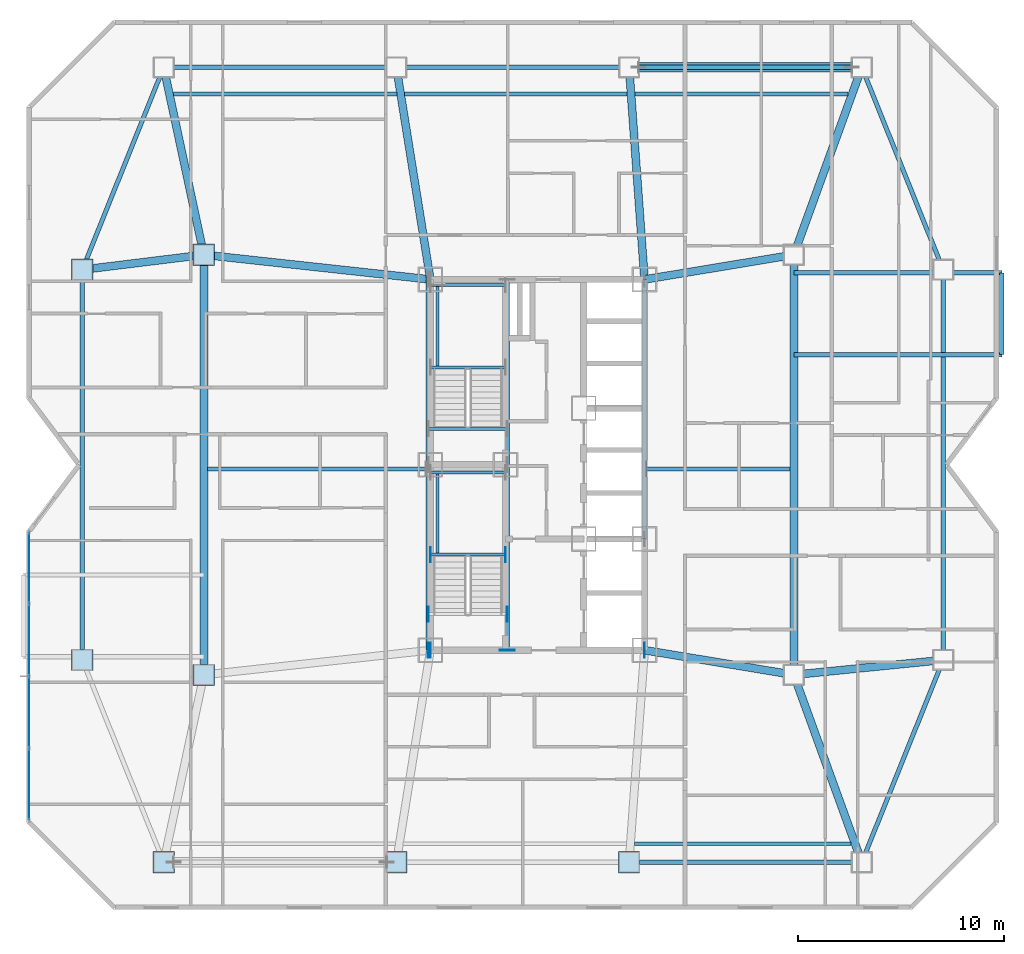
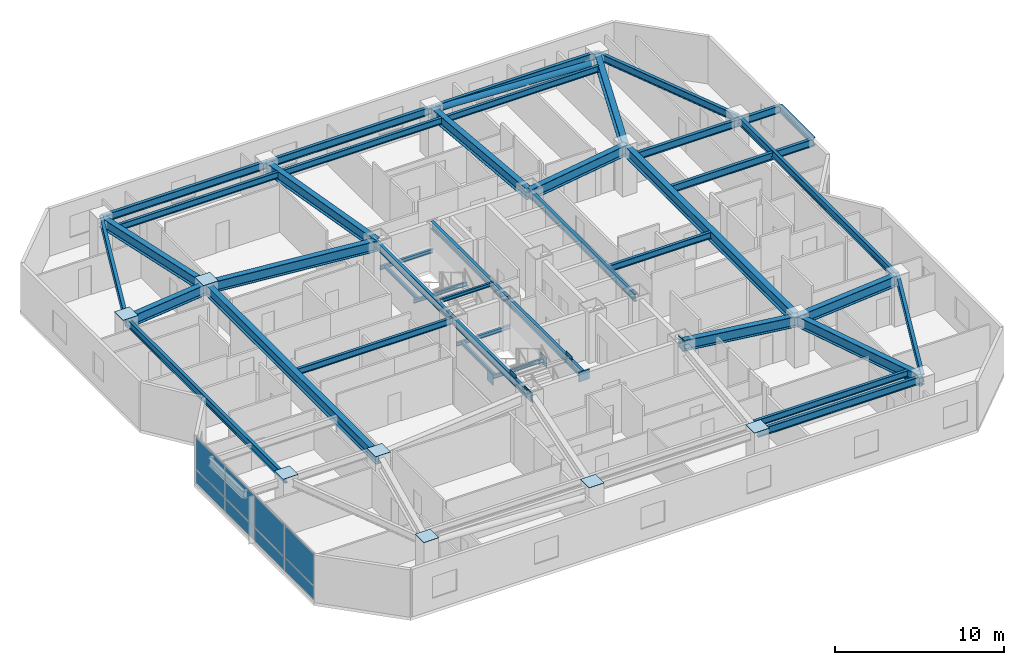
# One storey, part 7 of 17: 42 beams, 24 plates, 1 member, 1 element without a shape of its own.
"""IFC4 building model written with IfcOpenShell, lengths in metres."""

from ifc_helpers import new_model, si_unit, direction, frame, origin, origin_2d, place, context, subcontext, project, spatial, rectangle, hollow_circle, i_section, extrude, material, layer, layer_set, material_profile, profile_set, type_object, element, aggregate, save


model = new_model("IFC4")

# Units and contexts
model_context = context("Model", 3, precision=1e-05, world=origin(), true_north=direction((0.0, 1.0)))
body_context = subcontext(model_context, "Body", "Model", "MODEL_VIEW")
ifc_project = project(units=[si_unit("LENGTHUNIT", "METRE"), si_unit("AREAUNIT", "SQUARE_METRE"), si_unit("VOLUMEUNIT", "CUBIC_METRE"), si_unit("PLANEANGLEUNIT", "RADIAN"), si_unit("MASSUNIT", "GRAM", prefix="KILO")], contexts=[model_context])

# Site, building, storey
site_placement = place(None, origin())
site = spatial("IfcSite", under=ifc_project, at=site_placement, CompositionType="ELEMENT")
building_placement = place(site_placement, origin())
building = spatial("IfcBuilding", under=site, at=building_placement, Name="Khamvora Tower", CompositionType="ELEMENT")
storey_placement = place(building_placement, frame((0.0, 0.0, 131.10009765625)))
storey = spatial("IfcBuildingStorey", under=building, at=storey_placement, Name="L33", CompositionType="ELEMENT", Elevation=131.10009765625)

# Beams
ifc_material_1 = material(Name="Steel S355", Category="steel")
ifc_material_profile_1 = material_profile(ifc_material_1, i_section(OverallWidth=0.19189453125, OverallDepth=0.462890625, WebThickness=0.010986328125, FlangeThickness=0.01806640625, FilletRadius=0.011962890625, at=origin_2d()), Name="W460x89")
ifc_profile_set_1 = profile_set([ifc_material_profile_1], Name="Steel S355")
beam_type_1 = type_object("IfcBeamType", Name="BM-JS-W460x89", PredefinedType="JOIST", material=ifc_profile_set_1)
beam_1_placement = place(storey_placement, frame((38.902099609375, 9.60009765625, 3.197998046875), z_axis=(1.0, 0.0, 0.0), x_axis=(0.0, 1.0, 0.0)))
element("IfcBeam", 1, at=beam_1_placement, inside=storey, type_object=beam_type_1, Name="L33 secondary floor joist 03", PredefinedType="JOIST", context=body_context, shape_type="SweptSolid", body=[
    extrude(i_section(OverallWidth=0.19189453125, OverallDepth=0.462890625, WebThickness=0.010986328125, FlangeThickness=0.01806640625, FilletRadius=0.011962890625, at=origin_2d()), origin(), (0.0, 0.0, 1.0), 10.52392578125),
])
beam_2_placement = place(storey_placement, frame((18.18603515625, 27.800048828125, 3.197998046875), z_axis=(1.0, 0.0, 0.0), x_axis=(0.0, 1.0, 0.0)))
element("IfcBeam", 2, at=beam_2_placement, inside=storey, type_object=beam_type_1, Name="L33 secondary floor joist 04", PredefinedType="JOIST", context=body_context, shape_type="SweptSolid", body=[
    extrude(i_section(OverallWidth=0.19189453125, OverallDepth=0.462890625, WebThickness=0.010986328125, FlangeThickness=0.01806640625, FilletRadius=0.011962890625, at=origin_2d()), origin(), (0.0, 0.0, 1.0), 10.614013671875),
])
beam_3_placement = place(storey_placement, frame((39.4990234375, 27.800048828125, 3.197998046875), z_axis=(1.0, 0.0, 0.0), x_axis=(0.0, 1.0, 0.0)))
element("IfcBeam", 3, at=beam_3_placement, inside=storey, type_object=beam_type_1, Name="L33 secondary floor joist 05", PredefinedType="JOIST", context=body_context, shape_type="SweptSolid", body=[
    extrude(i_section(OverallWidth=0.19189453125, OverallDepth=0.462890625, WebThickness=0.010986328125, FlangeThickness=0.01806640625, FilletRadius=0.011962890625, at=origin_2d()), origin(), (0.0, 0.0, 1.0), 6.966064453125),
])
beam_4_placement = place(storey_placement, frame((16.51806640625, 46.0, 3.197998046875), z_axis=(1.0, 0.0, 0.0), x_axis=(0.0, 1.0, 0.0)))
element("IfcBeam", 4, at=beam_4_placement, inside=storey, type_object=beam_type_1, Name="L33 secondary floor joist 06", PredefinedType="JOIST", context=body_context, shape_type="SweptSolid", body=[
    extrude(i_section(OverallWidth=0.19189453125, OverallDepth=0.462890625, WebThickness=0.010986328125, FlangeThickness=0.01806640625, FilletRadius=0.011962890625, at=origin_2d()), origin(), (0.0, 0.0, 1.0), 10.85205078125),
])
beam_5_placement = place(storey_placement, frame((27.74609375, 46.0, 3.197998046875), z_axis=(1.0, 0.0, 0.0), x_axis=(0.0, 1.0, 0.0)))
element("IfcBeam", 5, at=beam_5_placement, inside=storey, type_object=beam_type_1, Name="L33 secondary floor joist 07", PredefinedType="JOIST", context=body_context, shape_type="SweptSolid", body=[
    extrude(i_section(OverallWidth=0.19189453125, OverallDepth=0.462890625, WebThickness=0.010986328125, FlangeThickness=0.01806640625, FilletRadius=0.011962890625, at=origin_2d()), origin(), (0.0, 0.0, 1.0), 10.81298828125),
])
beam_6_placement = place(storey_placement, frame((38.930908203125, 46.0, 3.197998046875), z_axis=(1.0, 0.0, 0.0), x_axis=(0.0, 1.0, 0.0)))
element("IfcBeam", 6, at=beam_6_placement, inside=storey, type_object=beam_type_1, Name="L33 secondary floor joist 08", PredefinedType="JOIST", context=body_context, shape_type="SweptSolid", body=[
    extrude(i_section(OverallWidth=0.19189453125, OverallDepth=0.462890625, WebThickness=0.010986328125, FlangeThickness=0.01806640625, FilletRadius=0.011962890625, at=origin_2d()), origin(), (0.0, 0.0, 1.0), 10.35009765625),
])
ifc_material_profile_2 = material_profile(ifc_material_1, i_section(OverallWidth=0.14697265625, OverallDepth=0.261962890625, WebThickness=0.007080078125, FlangeThickness=0.010986328125, FilletRadius=0.008056640625, at=origin_2d()), Name="W250x39")
ifc_profile_set_2 = profile_set([ifc_material_profile_2], Name="Steel S355")
beam_type_2 = type_object("IfcBeamType", Name="BM-LN-W250x39", PredefinedType="LINTEL", material=ifc_profile_set_2)
for number, where, z_axis, x_axis, name in (
    (7, (29.0, 23.635009765625, 1.493896484375), (1.0, 0.0, 0.0), (0.0, 1.0, 0.0), "L33 ST-01 half-landing support beam 1.1"),
    (8, (29.0, 27.6298828125, 1.493896484375), (1.0, 0.0, 0.0), (0.0, 1.0, 0.0), "L33 ST-01 half-landing support beam 1.2"),
):
    element("IfcBeam", number, at=place(storey_placement, frame(where, z_axis=z_axis, x_axis=x_axis)), inside=storey, type_object=beam_type_2, Name=name, PredefinedType="LINTEL", context=body_context, shape_type="SweptSolid", body=[
        extrude(i_section(OverallWidth=0.14697265625, OverallDepth=0.261962890625, WebThickness=0.007080078125, FlangeThickness=0.010986328125, FilletRadius=0.008056640625, at=origin_2d()), origin(), (0.0, 0.0, 1.0), 3.64990234375),
    ])
beam_7_placement = place(storey_placement, frame((29.35009765625, 23.635009765625, 1.493896484375), z_axis=(0.0, 1.0, 0.0), x_axis=(-1.0, 0.0, 0.0)))
element("IfcBeam", 9, at=beam_7_placement, inside=storey, type_object=beam_type_2, Name="L33 ST-01 half-landing edge stringer 1", PredefinedType="LINTEL", context=body_context, shape_type="SweptSolid", body=[
    extrude(i_section(OverallWidth=0.14697265625, OverallDepth=0.261962890625, WebThickness=0.007080078125, FlangeThickness=0.010986328125, FilletRadius=0.008056640625, at=origin_2d()), origin(), (0.0, 0.0, 1.0), 3.994873046875),
])
for number, where, z_axis, x_axis, name in (
    (10, (29.0, 32.735107421875, 1.493896484375), (1.0, 0.0, 0.0), (0.0, 1.0, 0.0), "L33 ST-02 half-landing support beam 1.1"),
    (11, (29.0, 36.72998046875, 1.493896484375), (1.0, 0.0, 0.0), (0.0, 1.0, 0.0), "L33 ST-02 half-landing support beam 1.2"),
):
    element("IfcBeam", number, at=place(storey_placement, frame(where, z_axis=z_axis, x_axis=x_axis)), inside=storey, type_object=beam_type_2, Name=name, PredefinedType="LINTEL", context=body_context, shape_type="SweptSolid", body=[
        extrude(i_section(OverallWidth=0.14697265625, OverallDepth=0.261962890625, WebThickness=0.007080078125, FlangeThickness=0.010986328125, FilletRadius=0.008056640625, at=origin_2d()), origin(), (0.0, 0.0, 1.0), 3.64990234375),
    ])
beam_8_placement = place(storey_placement, frame((29.35009765625, 32.735107421875, 1.493896484375), z_axis=(0.0, 1.0, 0.0), x_axis=(-1.0, 0.0, 0.0)))
element("IfcBeam", 12, at=beam_8_placement, inside=storey, type_object=beam_type_2, Name="L33 ST-02 half-landing edge stringer 1", PredefinedType="LINTEL", context=body_context, shape_type="SweptSolid", body=[
    extrude(i_section(OverallWidth=0.14697265625, OverallDepth=0.261962890625, WebThickness=0.007080078125, FlangeThickness=0.010986328125, FilletRadius=0.008056640625, at=origin_2d()), origin(), (0.0, 0.0, 1.0), 3.994873046875),
])
beam_9_placement = place(storey_placement, frame((28.89990234375, 29.75, 3.303955078125), z_axis=(1.0, 0.0, 0.0), x_axis=(0.0, 1.0, 0.0)))
element("IfcBeam", 13, at=beam_9_placement, inside=storey, type_object=beam_type_2, Name="L33 exit stair ST-02 landing trimmer beam", PredefinedType="LINTEL", context=body_context, shape_type="SweptSolid", body=[
    extrude(i_section(OverallWidth=0.14697265625, OverallDepth=0.261962890625, WebThickness=0.007080078125, FlangeThickness=0.010986328125, FilletRadius=0.008056640625, at=origin_2d()), origin(), (0.0, 0.0, 1.0), 3.830078125),
])
ifc_material_profile_3 = material_profile(ifc_material_1, i_section(OverallWidth=0.381103515625, OverallDepth=0.77294921875, WebThickness=0.01708984375, FlangeThickness=0.027099609375, FilletRadius=0.01806640625, at=origin_2d()), Name="W760x257")
ifc_profile_set_3 = profile_set([ifc_material_profile_3], Name="Steel S355")
beam_type_3 = type_object("IfcBeamType", Name="BM-PG-W760x257", PredefinedType="BEAM", material=ifc_profile_set_3)
for number, where, z_axis, x_axis, name in (
    (14, (46.64990234375, 17.800048828125, 3.04296875), (0.0, 1.0, 0.0), (-1.0, 0.0, 0.0), "L33 longitudinal frame girder M1-M2"),
    (15, (18.0, 17.800048828125, 3.04296875), (0.0, 1.0, 0.0), (-1.0, 0.0, 0.0), "L33 longitudinal frame girder MW1-MW2"),
):
    element("IfcBeam", number, at=place(storey_placement, frame(where, z_axis=z_axis, x_axis=x_axis)), inside=storey, type_object=beam_type_3, Name=name, PredefinedType="BEAM", context=body_context, shape_type="SweptSolid", body=[
        extrude(i_section(OverallWidth=0.381103515625, OverallDepth=0.77294921875, WebThickness=0.01708984375, FlangeThickness=0.027099609375, FilletRadius=0.01806640625, at=origin_2d()), origin(), (0.0, 0.0, 1.0), 20.39990234375),
    ])
beam_10_placement = place(storey_placement, frame((46.64990234375, 17.800048828125, 3.04296875), z_axis=(0.340914681567, -0.940094239899, 0.0), x_axis=(0.940094239899, 0.340914681567, 0.0)))
element("IfcBeam", 16, at=beam_10_placement, inside=storey, type_object=beam_type_3, Name="L33 primary floor girder S4", PredefinedType="BEAM", context=body_context, shape_type="SweptSolid", body=[
    extrude(i_section(OverallWidth=0.381103515625, OverallDepth=0.77294921875, WebThickness=0.01708984375, FlangeThickness=0.027099609375, FilletRadius=0.01806640625, at=origin_2d()), origin(), (0.0, 0.0, 1.0), 9.679931640625),
])
beam_11_placement = place(storey_placement, frame((18.0, 38.199951171875, 3.04296875), z_axis=(-0.209521922673, 0.977803949634, 0.0), x_axis=(-0.977803949634, -0.209521922673, 0.0)))
element("IfcBeam", 17, at=beam_11_placement, inside=storey, type_object=beam_type_3, Name="L33 primary floor girder N1", PredefinedType="BEAM", context=body_context, shape_type="SweptSolid", body=[
    extrude(i_section(OverallWidth=0.381103515625, OverallDepth=0.77294921875, WebThickness=0.01708984375, FlangeThickness=0.027099609375, FilletRadius=0.01806640625, at=origin_2d()), origin(), (0.0, 0.0, 1.0), 9.306640625),
])
beam_12_placement = place(storey_placement, frame((29.0, 37.0, 3.04296875), z_axis=(-0.158167584066, 0.987412282358, 0.0), x_axis=(-0.987412282358, -0.158167584066, 0.0)))
element("IfcBeam", 18, at=beam_12_placement, inside=storey, type_object=beam_type_3, Name="L33 primary floor girder N2", PredefinedType="BEAM", context=body_context, shape_type="SweptSolid", body=[
    extrude(i_section(OverallWidth=0.381103515625, OverallDepth=0.77294921875, WebThickness=0.01708984375, FlangeThickness=0.027099609375, FilletRadius=0.01806640625, at=origin_2d()), origin(), (0.0, 0.0, 1.0), 10.431396484375),
])
beam_13_placement = place(storey_placement, frame((39.39990234375, 37.0, 3.04296875), z_axis=(-0.07262291808, 0.997359469685, 0.0), x_axis=(-0.997359469685, -0.07262291808, 0.0)))
element("IfcBeam", 19, at=beam_13_placement, inside=storey, type_object=beam_type_3, Name="L33 primary floor girder N3", PredefinedType="BEAM", context=body_context, shape_type="SweptSolid", body=[
    extrude(i_section(OverallWidth=0.381103515625, OverallDepth=0.77294921875, WebThickness=0.01708984375, FlangeThickness=0.027099609375, FilletRadius=0.01806640625, at=origin_2d()), origin(), (0.0, 0.0, 1.0), 10.327392578125),
])
beam_14_placement = place(storey_placement, frame((46.64990234375, 38.199951171875, 3.04296875), z_axis=(0.340914681567, 0.940094239899, 0.0), x_axis=(-0.940094239899, 0.340914681567, 0.0)))
element("IfcBeam", 20, at=beam_14_placement, inside=storey, type_object=beam_type_3, Name="L33 primary floor girder N4", PredefinedType="BEAM", context=body_context, shape_type="SweptSolid", body=[
    extrude(i_section(OverallWidth=0.381103515625, OverallDepth=0.77294921875, WebThickness=0.01708984375, FlangeThickness=0.027099609375, FilletRadius=0.01806640625, at=origin_2d()), origin(), (0.0, 0.0, 1.0), 9.679931640625),
])
beam_15_placement = place(storey_placement, frame((18.0, 38.199951171875, 3.04296875), z_axis=(-0.992537264608, -0.12194170068, 0.0), x_axis=(0.12194170068, -0.992537264608, 0.0)))
element("IfcBeam", 21, at=beam_15_placement, inside=storey, type_object=beam_type_3, Name="L33 primary floor girder W2", PredefinedType="BEAM", context=body_context, shape_type="SweptSolid", body=[
    extrude(i_section(OverallWidth=0.381103515625, OverallDepth=0.77294921875, WebThickness=0.01708984375, FlangeThickness=0.027099609375, FilletRadius=0.01806640625, at=origin_2d()), origin(), (0.0, 0.0, 1.0), 5.9443359375),
])
beam_16_placement = place(storey_placement, frame((46.64990234375, 17.800048828125, 3.04296875), z_axis=(0.995039180556, 0.099483813546, 0.0), x_axis=(-0.099483813546, 0.995039180556, 0.0)))
element("IfcBeam", 22, at=beam_16_placement, inside=storey, type_object=beam_type_3, Name="L33 primary floor girder E1", PredefinedType="BEAM", context=body_context, shape_type="SweptSolid", body=[
    extrude(i_section(OverallWidth=0.381103515625, OverallDepth=0.77294921875, WebThickness=0.01708984375, FlangeThickness=0.027099609375, FilletRadius=0.01806640625, at=origin_2d()), origin(), (0.0, 0.0, 1.0), 7.2861328125),
])
beam_17_placement = place(storey_placement, frame((29.0, 37.0, 3.04296875), z_axis=(-0.994102652327, 0.108443149329, 0.0), x_axis=(-0.108443149329, -0.994102652327, 0.0)))
element("IfcBeam", 23, at=beam_17_placement, inside=storey, type_object=beam_type_3, Name="L33 primary floor girder MW2", PredefinedType="BEAM", context=body_context, shape_type="SweptSolid", body=[
    extrude(i_section(OverallWidth=0.381103515625, OverallDepth=0.77294921875, WebThickness=0.01708984375, FlangeThickness=0.027099609375, FilletRadius=0.01806640625, at=origin_2d()), origin(), (0.0, 0.0, 1.0), 11.065185546875),
])
for number, where, z_axis, x_axis, name in (
    (24, (39.39990234375, 19.0, 3.04296875), (0.986578268552, -0.163289068896, 0.0), (0.163289068896, 0.986578268552, 0.0), "L33 primary floor girder M1"),
    (25, (39.39990234375, 37.0, 3.04296875), (0.986578268552, 0.163289068896, 0.0), (-0.163289068896, 0.986578268552, 0.0), "L33 primary floor girder M2"),
):
    element("IfcBeam", number, at=place(storey_placement, frame(where, z_axis=z_axis, x_axis=x_axis)), inside=storey, type_object=beam_type_3, Name=name, PredefinedType="BEAM", context=body_context, shape_type="SweptSolid", body=[
        extrude(i_section(OverallWidth=0.381103515625, OverallDepth=0.77294921875, WebThickness=0.01708984375, FlangeThickness=0.027099609375, FilletRadius=0.01806640625, at=origin_2d()), origin(), (0.0, 0.0, 1.0), 7.3486328125),
    ])
ifc_material_profile_4 = material_profile(ifc_material_1, i_section(OverallWidth=0.2119140625, OverallDepth=0.5439453125, WebThickness=0.012939453125, FlangeThickness=0.02099609375, FilletRadius=0.013916015625, at=origin_2d()), Name="W530x123")
ifc_profile_set_4 = profile_set([ifc_material_profile_4], Name="Steel S355")
beam_type_4 = type_object("IfcBeamType", Name="BM-SP-W530x123", PredefinedType="SPANDREL", material=ifc_profile_set_4)
beam_18_placement = place(storey_placement, frame((38.64990234375, 8.699951171875, 3.157958984375), z_axis=(1.0, 0.0, 0.0), x_axis=(0.0, 1.0, 0.0)))
element("IfcBeam", 26, at=beam_18_placement, inside=storey, type_object=beam_type_4, Name="L33 perimeter spandrel beam S3-S4", PredefinedType="SPANDREL", context=body_context, shape_type="SweptSolid", body=[
    extrude(i_section(OverallWidth=0.2119140625, OverallDepth=0.5439453125, WebThickness=0.012939453125, FlangeThickness=0.02099609375, FilletRadius=0.013916015625, at=origin_2d()), origin(), (0.0, 0.0, 1.0), 11.300048828125),
])
beam_19_placement = place(storey_placement, frame((49.949951171875, 8.699951171875, 3.157958984375), z_axis=(0.373015921536, 0.927824941614, 0.0), x_axis=(-0.927824941614, 0.373015921536, 0.0)))
element("IfcBeam", 27, at=beam_19_placement, inside=storey, type_object=beam_type_4, Name="L33 perimeter spandrel beam S4-E1", PredefinedType="SPANDREL", context=body_context, shape_type="SweptSolid", body=[
    extrude(i_section(OverallWidth=0.2119140625, OverallDepth=0.5439453125, WebThickness=0.012939453125, FlangeThickness=0.02099609375, FilletRadius=0.013916015625, at=origin_2d()), origin(), (0.0, 0.0, 1.0), 10.589111328125),
])
beam_20_placement = place(storey_placement, frame((53.89990234375, 18.52490234375, 3.157958984375), z_axis=(0.0, 1.0, 0.0), x_axis=(-1.0, 0.0, 0.0)))
element("IfcBeam", 28, at=beam_20_placement, inside=storey, type_object=beam_type_4, Name="L33 perimeter spandrel beam E1-E2", PredefinedType="SPANDREL", context=body_context, shape_type="SweptSolid", body=[
    extrude(i_section(OverallWidth=0.2119140625, OverallDepth=0.5439453125, WebThickness=0.012939453125, FlangeThickness=0.02099609375, FilletRadius=0.013916015625, at=origin_2d()), origin(), (0.0, 0.0, 1.0), 18.9501953125),
])
beam_21_placement = place(storey_placement, frame((53.89990234375, 37.47509765625, 3.157958984375), z_axis=(-0.373015921536, 0.927824941614, 0.0), x_axis=(-0.927824941614, -0.373015921536, 0.0)))
element("IfcBeam", 29, at=beam_21_placement, inside=storey, type_object=beam_type_4, Name="L33 perimeter spandrel beam E2-N4", PredefinedType="SPANDREL", context=body_context, shape_type="SweptSolid", body=[
    extrude(i_section(OverallWidth=0.2119140625, OverallDepth=0.5439453125, WebThickness=0.012939453125, FlangeThickness=0.02099609375, FilletRadius=0.013916015625, at=origin_2d()), origin(), (0.0, 0.0, 1.0), 10.589111328125),
])
beam_22_placement = place(storey_placement, frame((49.949951171875, 47.300048828125, 3.157958984375), z_axis=(-1.0, 0.0, 0.0), x_axis=(0.0, -1.0, 0.0)))
element("IfcBeam", 30, at=beam_22_placement, inside=storey, type_object=beam_type_4, Name="L33 perimeter spandrel beam N4-N3", PredefinedType="SPANDREL", context=body_context, shape_type="SweptSolid", body=[
    extrude(i_section(OverallWidth=0.2119140625, OverallDepth=0.5439453125, WebThickness=0.012939453125, FlangeThickness=0.02099609375, FilletRadius=0.013916015625, at=origin_2d()), origin(), (0.0, 0.0, 1.0), 11.300048828125),
])
beam_23_placement = place(storey_placement, frame((38.64990234375, 47.300048828125, 3.157958984375), z_axis=(-1.0, 0.0, 0.0), x_axis=(0.0, -1.0, 0.0)))
element("IfcBeam", 31, at=beam_23_placement, inside=storey, type_object=beam_type_4, Name="L33 perimeter spandrel beam N3-N2", PredefinedType="SPANDREL", context=body_context, shape_type="SweptSolid", body=[
    extrude(i_section(OverallWidth=0.2119140625, OverallDepth=0.5439453125, WebThickness=0.012939453125, FlangeThickness=0.02099609375, FilletRadius=0.013916015625, at=origin_2d()), origin(), (0.0, 0.0, 1.0), 11.2998046875),
])
beam_24_placement = place(storey_placement, frame((27.35009765625, 47.300048828125, 3.157958984375), z_axis=(-1.0, 0.0, 0.0), x_axis=(0.0, -1.0, 0.0)))
element("IfcBeam", 32, at=beam_24_placement, inside=storey, type_object=beam_type_4, Name="L33 perimeter spandrel beam N2-N1", PredefinedType="SPANDREL", context=body_context, shape_type="SweptSolid", body=[
    extrude(i_section(OverallWidth=0.2119140625, OverallDepth=0.5439453125, WebThickness=0.012939453125, FlangeThickness=0.02099609375, FilletRadius=0.013916015625, at=origin_2d()), origin(), (0.0, 0.0, 1.0), 11.300048828125),
])
beam_25_placement = place(storey_placement, frame((16.050048828125, 47.300048828125, 3.157958984375), z_axis=(-0.373015921536, -0.927824941614, 0.0), x_axis=(0.927824941614, -0.373015921536, 0.0)))
element("IfcBeam", 33, at=beam_25_placement, inside=storey, type_object=beam_type_4, Name="L33 perimeter spandrel beam N1-W2", PredefinedType="SPANDREL", context=body_context, shape_type="SweptSolid", body=[
    extrude(i_section(OverallWidth=0.2119140625, OverallDepth=0.5439453125, WebThickness=0.012939453125, FlangeThickness=0.02099609375, FilletRadius=0.013916015625, at=origin_2d()), origin(), (0.0, 0.0, 1.0), 10.589111328125),
])
beam_26_placement = place(storey_placement, frame((12.10009765625, 37.47509765625, 3.157958984375), z_axis=(0.0, -1.0, 0.0), x_axis=(1.0, 0.0, 0.0)))
element("IfcBeam", 34, at=beam_26_placement, inside=storey, type_object=beam_type_4, Name="L33 perimeter spandrel beam W2-W1", PredefinedType="SPANDREL", context=body_context, shape_type="SweptSolid", body=[
    extrude(i_section(OverallWidth=0.2119140625, OverallDepth=0.5439453125, WebThickness=0.012939453125, FlangeThickness=0.02099609375, FilletRadius=0.013916015625, at=origin_2d()), origin(), (0.0, 0.0, 1.0), 18.9501953125),
])
ifc_material_profile_5 = material_profile(ifc_material_1, i_section(OverallWidth=0.208984375, OverallDepth=0.532958984375, WebThickness=0.010009765625, FlangeThickness=0.01611328125, FilletRadius=0.013916015625, at=origin_2d()), Name="W530x92")
ifc_profile_set_5 = profile_set([ifc_material_profile_5], Name="Steel S355")
beam_type_5 = type_object("IfcBeamType", Name="BM-SP-W530x92", PredefinedType="SPANDREL", material=ifc_profile_set_5)
for number, where, z_axis, x_axis, name in (
    (35, (28.89990234375, 19.0, 3.162841796875), (0.0, 1.0, 0.0), (-1.0, 0.0, 0.0), "L33 core spine girder WS"),
    (36, (28.89990234375, 28.0, 3.162841796875), (0.0, 1.0, 0.0), (-1.0, 0.0, 0.0), "L33 core spine girder WN"),
    (37, (32.72998046875, 19.0, 3.162841796875), (0.0, 1.0, 0.0), (-1.0, 0.0, 0.0), "L33 core spine girder M1S"),
    (38, (32.72998046875, 28.0, 3.162841796875), (0.0, 1.0, 0.0), (-1.0, 0.0, 0.0), "L33 core spine girder M1N"),
):
    element("IfcBeam", number, at=place(storey_placement, frame(where, z_axis=z_axis, x_axis=x_axis)), inside=storey, type_object=beam_type_5, Name=name, PredefinedType="SPANDREL", context=body_context, shape_type="SweptSolid", body=[
        extrude(i_section(OverallWidth=0.208984375, OverallDepth=0.532958984375, WebThickness=0.010009765625, FlangeThickness=0.01611328125, FilletRadius=0.013916015625, at=origin_2d()), origin(), (0.0, 0.0, 1.0), 9.0),
    ])
beam_27_placement = place(storey_placement, frame((39.39990234375, 24.39990234375, 3.162841796875), z_axis=(0.0, 1.0, 0.0), x_axis=(-1.0, 0.0, 0.0)))
element("IfcBeam", 39, at=beam_27_placement, inside=storey, type_object=beam_type_5, Name="L33 core spine girder EN", PredefinedType="SPANDREL", context=body_context, shape_type="SweptSolid", body=[
    extrude(i_section(OverallWidth=0.208984375, OverallDepth=0.532958984375, WebThickness=0.010009765625, FlangeThickness=0.01611328125, FilletRadius=0.013916015625, at=origin_2d()), origin(), (0.0, 0.0, 1.0), 12.60009765625),
])
for number, where, z_axis, x_axis, name in (
    (40, (46.64990234375, 33.35009765625, 2.9638671875), (1.0, 0.0, 0.0), (0.0, 1.0, 0.0), "L33 continuous gallery cantilever girder L34-EL2-1"),
    (41, (46.64990234375, 37.324951171875, 2.9638671875), (1.0, 0.0, 0.0), (0.0, 1.0, 0.0), "L33 continuous gallery cantilever girder L34-EL2-2"),
):
    element("IfcBeam", number, at=place(storey_placement, frame(where, z_axis=z_axis, x_axis=x_axis)), inside=storey, type_object=beam_type_5, Name=name, PredefinedType="SPANDREL", context=body_context, shape_type="SweptSolid", body=[
        extrude(i_section(OverallWidth=0.208984375, OverallDepth=0.532958984375, WebThickness=0.010009765625, FlangeThickness=0.01611328125, FilletRadius=0.013916015625, at=origin_2d()), origin(), (0.0, 0.0, 1.0), 10.10009765625),
    ])
beam_28_placement = place(storey_placement, frame((56.75, 33.35009765625, 2.9638671875), z_axis=(0.0, 1.0, 0.0), x_axis=(-1.0, 0.0, 0.0)))
element("IfcBeam", 42, at=beam_28_placement, inside=storey, type_object=beam_type_5, Name="L33 external gallery edge header beam L34-EL2", PredefinedType="SPANDREL", context=body_context, shape_type="SweptSolid", body=[
    extrude(i_section(OverallWidth=0.208984375, OverallDepth=0.532958984375, WebThickness=0.010009765625, FlangeThickness=0.01611328125, FilletRadius=0.013916015625, at=origin_2d()), origin(), (0.0, 0.0, 1.0), 3.974853515625),
])

# Member
ifc_material_profile_6 = material_profile(ifc_material_1, hollow_circle(Radius=0.228515625, WallThickness=0.02001953125, at=origin_2d()), Name="CHS457x20")
ifc_profile_set_6 = profile_set([ifc_material_profile_6], Name="Steel S355")
member_type = type_object("IfcMemberType", Name="MEM-BR-CHS457", PredefinedType="BRACE", material=ifc_profile_set_6)
member_placement = place(storey_placement, frame((49.469970703125, 47.300048828125, 2.699951171875), z_axis=(-0.9990880639, 0.0, 0.042697079207), x_axis=(0.0, -1.0, 0.0)))
element("IfcMember", 43, at=member_placement, inside=storey, type_object=member_type, Name="L33 perimeter wind brace 2", PredefinedType="BRACE", context=body_context, shape_type="SweptSolid", body=[
    extrude(hollow_circle(Radius=0.228515625, WallThickness=0.02001953125, at=origin_2d()), origin(), (0.0, 0.0, 1.0), 10.349609375),
])

# Curtain wall, plates
ifc_material_2 = material(Name="Anodised Aluminium 6063-T6", Category="aluminium")
curtain_wall_type = type_object("IfcCurtainWallType", Name="CW-SYS-03", PredefinedType="NOTDEFINED", material=ifc_material_2)
curtain_wall_placement = place(storey_placement, origin())
curtain_wall = element("IfcCurtainWall", 44, at=curtain_wall_placement, inside=storey, type_object=curtain_wall_type, Name="L33 stick curtain wall 02.1", PredefinedType="NOTDEFINED")
ifc_material_3 = material(Name="Low-E Laminated Double Glazing", Category="glass")
ifc_layer_1 = layer(ifc_material_3, 0.030029296875)
ifc_layer_set_1 = layer_set([ifc_layer_1], Name="Low-E Laminated Double Glazing")
plate_type_1 = type_object("IfcPlateType", Name="CW-SYS-03-PNL", PredefinedType="CURTAIN_PANEL", material=ifc_layer_set_1)
plate_1_placement = place(storey_placement, frame((9.510009765625, 12.489013671875, 0.06494140625), z_axis=(0.0, 0.0, 1.0), x_axis=(0.0, 1.0, 0.0)))
plate_1 = element("IfcPlate", 45, at=plate_1_placement, type_object=plate_type_1, Name="CW-03 panel 1.1", PredefinedType="CURTAIN_PANEL", context=body_context, shape_type="SweptSolid", body=[
    extrude(rectangle(XDim=3.4140625, YDim=0.030029296875, at=origin_2d()), origin(), (0.0, 0.0, 1.0), 0.952392578125),
])
plate_2_placement = place(storey_placement, frame((9.510009765625, 12.489013671875, 1.08251953125), z_axis=(0.0, 0.0, 1.0), x_axis=(0.0, 1.0, 0.0)))
plate_2 = element("IfcPlate", 46, at=plate_2_placement, type_object=plate_type_1, Name="CW-03 panel 1.2", PredefinedType="CURTAIN_PANEL", context=body_context, shape_type="SweptSolid", body=[
    extrude(rectangle(XDim=3.4140625, YDim=0.030029296875, at=origin_2d()), origin(), (0.0, 0.0, 1.0), 2.282470703125),
])
plate_3_placement = place(storey_placement, frame((9.510009765625, 15.984130859375, 0.06494140625), z_axis=(0.0, 0.0, 1.0), x_axis=(0.0, 1.0, 0.0)))
plate_3 = element("IfcPlate", 47, at=plate_3_placement, type_object=plate_type_1, Name="CW-03 panel 2.1", PredefinedType="CURTAIN_PANEL", context=body_context, shape_type="SweptSolid", body=[
    extrude(rectangle(XDim=3.446533203125, YDim=0.030029296875, at=origin_2d()), origin(), (0.0, 0.0, 1.0), 0.952392578125),
])
plate_4_placement = place(storey_placement, frame((9.510009765625, 15.984130859375, 1.08251953125), z_axis=(0.0, 0.0, 1.0), x_axis=(0.0, 1.0, 0.0)))
plate_4 = element("IfcPlate", 48, at=plate_4_placement, type_object=plate_type_1, Name="CW-03 panel 2.2", PredefinedType="CURTAIN_PANEL", context=body_context, shape_type="SweptSolid", body=[
    extrude(rectangle(XDim=3.446533203125, YDim=0.030029296875, at=origin_2d()), origin(), (0.0, 0.0, 1.0), 2.282470703125),
])
plate_5_placement = place(storey_placement, frame((9.510009765625, 19.495849609375, 0.06494140625), z_axis=(0.0, 0.0, 1.0), x_axis=(0.0, 1.0, 0.0)))
plate_5 = element("IfcPlate", 49, at=plate_5_placement, type_object=plate_type_1, Name="CW-03 panel 3.1", PredefinedType="CURTAIN_PANEL", context=body_context, shape_type="SweptSolid", body=[
    extrude(rectangle(XDim=3.446533203125, YDim=0.030029296875, at=origin_2d()), origin(), (0.0, 0.0, 1.0), 0.952392578125),
])
plate_6_placement = place(storey_placement, frame((9.510009765625, 19.495849609375, 1.08251953125), z_axis=(0.0, 0.0, 1.0), x_axis=(0.0, 1.0, 0.0)))
plate_6 = element("IfcPlate", 50, at=plate_6_placement, type_object=plate_type_1, Name="CW-03 panel 3.2", PredefinedType="CURTAIN_PANEL", context=body_context, shape_type="SweptSolid", body=[
    extrude(rectangle(XDim=3.446533203125, YDim=0.030029296875, at=origin_2d()), origin(), (0.0, 0.0, 1.0), 2.282470703125),
])
plate_7_placement = place(storey_placement, frame((9.510009765625, 22.990966796875, 0.06494140625), z_axis=(0.0, 0.0, 1.0), x_axis=(0.0, 1.0, 0.0)))
plate_7 = element("IfcPlate", 51, at=plate_7_placement, type_object=plate_type_1, Name="CW-03 panel 4.1", PredefinedType="CURTAIN_PANEL", context=body_context, shape_type="SweptSolid", body=[
    extrude(rectangle(XDim=3.4140625, YDim=0.030029296875, at=origin_2d()), origin(), (0.0, 0.0, 1.0), 0.952392578125),
])
plate_8_placement = place(storey_placement, frame((9.510009765625, 22.990966796875, 1.08251953125), z_axis=(0.0, 0.0, 1.0), x_axis=(0.0, 1.0, 0.0)))
plate_8 = element("IfcPlate", 52, at=plate_8_placement, type_object=plate_type_1, Name="CW-03 panel 4.2", PredefinedType="CURTAIN_PANEL", context=body_context, shape_type="SweptSolid", body=[
    extrude(rectangle(XDim=3.4140625, YDim=0.030029296875, at=origin_2d()), origin(), (0.0, 0.0, 1.0), 2.282470703125),
])
aggregate(curtain_wall, [plate_1, plate_2, plate_3, plate_4, plate_5, plate_6, plate_7, plate_8])

# Plates
ifc_layer_2 = layer(ifc_material_1, 0.02490234375)
ifc_layer_set_2 = layer_set([ifc_layer_2], Name="Steel S355")
plate_type_2 = type_object("IfcPlateType", Name="PL-CAP-25", PredefinedType="SHEET", material=ifc_layer_set_2)
for number, where, z_axis, x_axis, name in (
    (53, (18.0, 17.800048828125, 3.62548828125), (0.0, 0.0, 1.0), (1.0, 0.0, 0.0), "L33 hollow section steel end cap plate 0131"),
    (54, (18.0, 38.199951171875, 3.62548828125), (0.0, 0.0, 1.0), (1.0, 0.0, 0.0), "L33 hollow section steel end cap plate 0136"),
    (55, (16.050048828125, 8.699951171875, 3.62548828125), (0.0, 0.0, 1.0), (1.0, 0.0, 0.0), "L33 hollow section steel end cap plate 0147"),
    (56, (27.35009765625, 8.699951171875, 3.62548828125), (0.0, 0.0, 1.0), (1.0, 0.0, 0.0), "L33 hollow section steel end cap plate 0150"),
    (57, (38.64990234375, 8.699951171875, 3.62548828125), (0.0, 0.0, 1.0), (1.0, 0.0, 0.0), "L33 hollow section steel end cap plate 0153"),
    (58, (12.10009765625, 18.52001953125, 3.62548828125), (0.0, 0.0, 1.0), (1.0, 0.0, 0.0), "L33 hollow section steel end cap plate 0171"),
    (59, (12.10009765625, 37.47998046875, 3.62548828125), (0.0, 0.0, 1.0), (1.0, 0.0, 0.0), "L33 hollow section steel end cap plate 0174"),
):
    element("IfcPlate", number, at=place(storey_placement, frame(where, z_axis=z_axis, x_axis=x_axis)), inside=storey, type_object=plate_type_2, Name=name, PredefinedType="SHEET", context=body_context, shape_type="SweptSolid", body=[
        extrude(rectangle(XDim=1.030029296875, YDim=1.030029296875, at=origin_2d()), origin(), (0.0, 0.0, 1.0), 0.02490234375),
    ])
ifc_material_4 = material(Name="Steel S460", Category="steel")
ifc_layer_3 = layer(ifc_material_4, 0.034912109375)
ifc_layer_set_3 = layer_set([ifc_layer_3], Name="Steel S460")
plate_type_3 = type_object("IfcPlateType", Name="PL-EMB-35", PredefinedType="SHEET", material=ifc_layer_set_3)
for number, where, z_axis, x_axis, name in (
    (60, (29.0, 23.635009765625, 1.1337890625), (0.0, 0.0, 1.0), (1.0, 0.0, 0.0), "L33 core shear wall cast-in embed plate 0964"),
    (61, (32.64990234375, 23.635009765625, 1.1337890625), (0.0, 0.0, 1.0), (1.0, 0.0, 0.0), "L33 core shear wall cast-in embed plate 0965"),
    (62, (29.0, 19.0, 2.68310546875), (0.0, 0.0, 1.0), (1.0, 0.0, 0.0), "L33 core shear wall cast-in embed plate 0973"),
    (63, (39.39990234375, 19.0, 2.68310546875), (0.0, 0.0, 1.0), (1.0, 0.0, 0.0), "L33 core shear wall cast-in embed plate 0974"),
    (64, (28.89990234375, 19.0, 2.802734375), (0.0, 0.0, 1.0), (1.0, 0.0, 0.0), "L33 core shear wall cast-in embed plate 0977"),
):
    element("IfcPlate", number, at=place(storey_placement, frame(where, z_axis=z_axis, x_axis=x_axis)), inside=storey, type_object=plate_type_3, Name=name, PredefinedType="SHEET", context=body_context, shape_type="SweptSolid", body=[
        extrude(rectangle(XDim=0.034912109375, YDim=0.719970703125, at=origin_2d()), origin(), (0.0, 0.0, 1.0), 0.719970703125),
    ])
plate_9_placement = place(storey_placement, frame((32.72998046875, 19.0, 2.802734375), z_axis=(0.0, 0.0, 1.0), x_axis=(1.0, 0.0, 0.0)))
element("IfcPlate", 65, at=plate_9_placement, inside=storey, type_object=plate_type_3, Name="L33 core shear wall cast-in embed plate 0980", PredefinedType="SHEET", context=body_context, shape_type="SweptSolid", body=[
    extrude(rectangle(XDim=0.719970703125, YDim=0.034912109375, at=origin_2d()), origin(), (0.0, 0.0, 1.0), 0.719970703125),
])
for number, where, z_axis, x_axis, name in (
    (66, (39.39990234375, 19.0, 2.802734375), (0.0, 0.0, 1.0), (1.0, 0.0, 0.0), "L33 core shear wall cast-in embed plate 0983"),
    (67, (28.89990234375, 20.75, 2.94384765625), (0.0, 0.0, 1.0), (1.0, 0.0, 0.0), "L33 core shear wall cast-in embed plate 0986"),
    (68, (32.72998046875, 20.75, 2.94384765625), (0.0, 0.0, 1.0), (1.0, 0.0, 0.0), "L33 core shear wall cast-in embed plate 0987"),
):
    element("IfcPlate", number, at=place(storey_placement, frame(where, z_axis=z_axis, x_axis=x_axis)), inside=storey, type_object=plate_type_3, Name=name, PredefinedType="SHEET", context=body_context, shape_type="SweptSolid", body=[
        extrude(rectangle(XDim=0.034912109375, YDim=0.719970703125, at=origin_2d()), origin(), (0.0, 0.0, 1.0), 0.719970703125),
    ])

save(model, "model.ifc")
